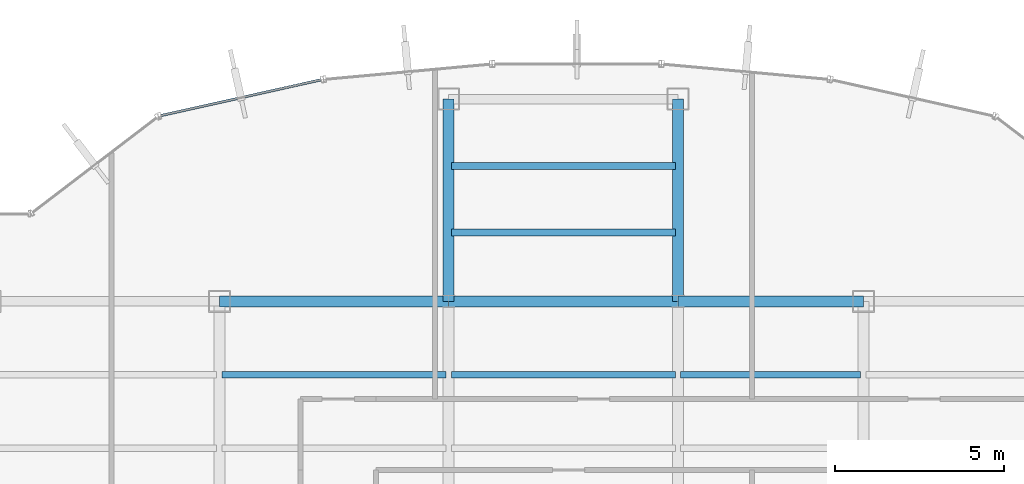
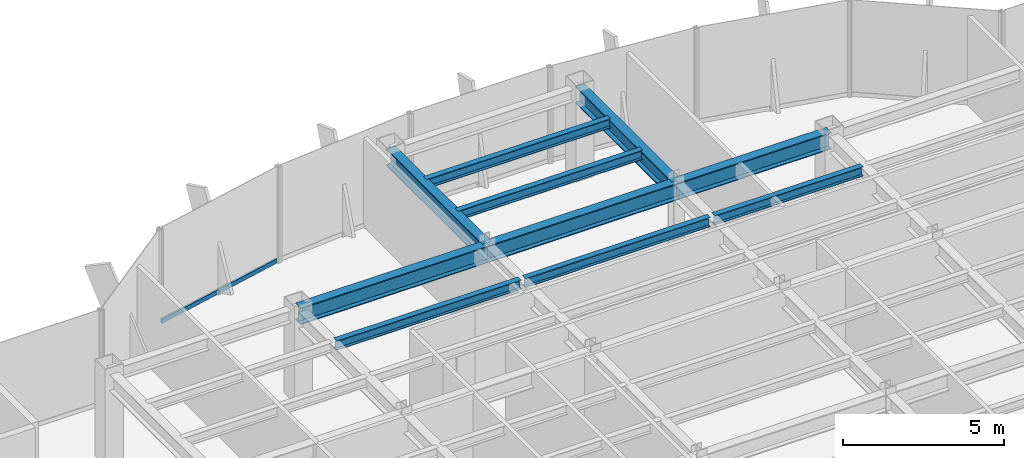
# One storey, part 15 of 25: 10 beams, 1 member, 1 element without a shape of its own.
"""IFC4 building model written with IfcOpenShell, lengths in metres."""

from ifc_helpers import new_model, si_unit, derived_unit, direction, frame, origin, origin_2d, place, context, subcontext, project, spatial, hollow_rectangle, i_section, extrude, source, transform, mapped, material, material_profile, profile_set, type_object, element, aggregate, save


model = new_model("IFC4")

# Units and contexts
model_context = context("Model", 3, precision=1e-05, world=origin(), true_north=direction((0.0, 1.0)))
body_context = subcontext(model_context, "Body", "Model", "MODEL_VIEW")
ifc_project = project(units=[si_unit("LENGTHUNIT", "METRE"), si_unit("AREAUNIT", "SQUARE_METRE"), si_unit("VOLUMEUNIT", "CUBIC_METRE"), si_unit("PLANEANGLEUNIT", "RADIAN"), si_unit("MASSUNIT", "GRAM", prefix="KILO"), derived_unit("THERMALTRANSMITTANCEUNIT", [(si_unit("POWERUNIT", "WATT"), 1), (si_unit("LENGTHUNIT", "METRE"), -2), (si_unit("THERMODYNAMICTEMPERATUREUNIT", "KELVIN"), -1)])], contexts=[model_context])

# Site, building, storey
site_placement = place(None, origin())
site = spatial("IfcSite", under=ifc_project, at=site_placement, CompositionType="ELEMENT")
building_placement = place(site_placement, origin())
building = spatial("IfcBuilding", under=site, at=building_placement, Name="Skarnbrae Concourse Arena and Tower", CompositionType="ELEMENT")
storey_placement = place(building_placement, frame((0.0, 0.0, 173.449951171875)))
storey = spatial("IfcBuildingStorey", under=building, at=storey_placement, Name="L44", CompositionType="ELEMENT", Elevation=173.449951171875)

# Beams
ifc_material_1 = material(Name="Steel CSA G40.21 350W", Category="steel")
ifc_material_profile_1 = material_profile(ifc_material_1, i_section(OverallWidth=0.3291015625, OverallDepth=0.635009765625, WebThickness=0.017822265625, FlangeThickness=0.031005859375, at=origin_2d()), Name="W610X241")
ifc_profile_set_1 = profile_set([ifc_material_profile_1], Name="Steel CSA G40.21 350W")
beam_type_1 = type_object("IfcBeamType", Name="BM-GIRD-W610X241", PredefinedType="BEAM", material=ifc_profile_set_1)
shared_shape_1 = source(origin(), body_context, "Body", "SweptSolid", [
    extrude(i_section(OverallWidth=0.3291015625, OverallDepth=0.635009765625, WebThickness=0.017822265625, FlangeThickness=0.031005859375, at=origin_2d()), origin(), (0.0, 0.0, 1.0), 6.800048828125),
])
for number, where, z_axis, x_axis, name in (
    (1, (14.39990234375, 34.39990234375, 3.08251953125), (1.0, 0.0, 0.0), (0.0, 1.0, 0.0), "L44 Primary E-W girder Y34.4-2"),
    (2, (21.199951171875, 34.39990234375, 3.08251953125), (1.0, 0.0, 0.0), (0.0, 1.0, 0.0), "L44 Primary E-W girder Y34.4-3"),
):
    element("IfcBeam", number, at=place(storey_placement, frame(where, z_axis=z_axis, x_axis=x_axis)), inside=storey, type_object=beam_type_1, Name=name, PredefinedType="BEAM", context=body_context, shape_type="MappedRepresentation", body=[
        mapped(shared_shape_1, transform((0.0, 0.0, 0.0))),
    ])
shared_shape_2 = source(origin(), body_context, "Body", "SweptSolid", [
    extrude(i_section(OverallWidth=0.3291015625, OverallDepth=0.635009765625, WebThickness=0.017822265625, FlangeThickness=0.031005859375, at=origin_2d()), origin(), (0.0, 0.0, 1.0), 5.5),
])
beam_1_placement = place(storey_placement, frame((28.0, 34.39990234375, 3.08251953125), z_axis=(1.0, 0.0, 0.0), x_axis=(0.0, 1.0, 0.0)))
element("IfcBeam", 3, at=beam_1_placement, inside=storey, type_object=beam_type_1, Name="L44 Primary E-W girder Y34.4-4", PredefinedType="BEAM", context=body_context, shape_type="MappedRepresentation", body=[
    mapped(shared_shape_2, transform((0.0, 0.0, 0.0))),
])
shared_shape_3 = source(origin(), body_context, "Body", "SweptSolid", [
    extrude(i_section(OverallWidth=0.3291015625, OverallDepth=0.635009765625, WebThickness=0.017822265625, FlangeThickness=0.031005859375, at=origin_2d()), origin(), (0.0, 0.0, 1.0), 6.0),
])
for number, where, z_axis, x_axis, name in (
    (4, (21.199951171875, 34.39990234375, 3.08251953125), (0.0, 1.0, 0.0), (-1.0, 0.0, 0.0), "L44 Primary N-S girder X21.2-4"),
    (5, (28.0, 34.39990234375, 3.08251953125), (0.0, 1.0, 0.0), (-1.0, 0.0, 0.0), "L44 Primary N-S girder X28.0-4"),
):
    element("IfcBeam", number, at=place(storey_placement, frame(where, z_axis=z_axis, x_axis=x_axis)), inside=storey, type_object=beam_type_1, Name=name, PredefinedType="BEAM", context=body_context, shape_type="MappedRepresentation", body=[
        mapped(shared_shape_3, transform((0.0, 0.0, 0.0))),
    ])
ifc_material_profile_2 = material_profile(ifc_material_1, i_section(OverallWidth=0.205078125, OverallDepth=0.35400390625, WebThickness=0.009521484375, FlangeThickness=0.016845703125, at=origin_2d()), Name="W360X79")
ifc_profile_set_2 = profile_set([ifc_material_profile_2], Name="Steel CSA G40.21 350W")
beam_type_2 = type_object("IfcBeamType", Name="BM-JOIST-W360X79", PredefinedType="JOIST", material=ifc_profile_set_2)
shared_shape_4 = source(origin(), body_context, "Body", "SweptSolid", [
    extrude(i_section(OverallWidth=0.205078125, OverallDepth=0.35400390625, WebThickness=0.009521484375, FlangeThickness=0.016845703125, at=origin_2d()), origin(), (0.0, 0.0, 1.0), 6.64013671875),
])
beam_2_placement = place(storey_placement, frame((14.47998046875, 32.221923828125, 3.22314453125), z_axis=(1.0, 0.0, 0.0), x_axis=(0.0, 1.0, 0.0)))
element("IfcBeam", 6, at=beam_2_placement, inside=storey, type_object=beam_type_2, Name="L44 Secondary floor joist 3.2.2", PredefinedType="JOIST", context=body_context, shape_type="MappedRepresentation", body=[
    mapped(shared_shape_4, transform((0.0, 0.0, 0.0))),
])
shared_shape_5 = source(origin(), body_context, "Body", "SweptSolid", [
    extrude(i_section(OverallWidth=0.205078125, OverallDepth=0.35400390625, WebThickness=0.009521484375, FlangeThickness=0.016845703125, at=origin_2d()), origin(), (0.0, 0.0, 1.0), 6.639892578125),
])
for number, where, z_axis, x_axis, name in (
    (7, (21.280029296875, 32.221923828125, 3.22314453125), (1.0, 0.0, 0.0), (0.0, 1.0, 0.0), "L44 Secondary floor joist 3.2.3"),
    (8, (21.280029296875, 36.43994140625, 3.22314453125), (1.0, 0.0, 0.0), (0.0, 1.0, 0.0), "L44 Secondary floor joist 4.1.1"),
    (9, (21.280029296875, 38.419921875, 3.22314453125), (1.0, 0.0, 0.0), (0.0, 1.0, 0.0), "L44 Secondary floor joist 4.2.1"),
):
    element("IfcBeam", number, at=place(storey_placement, frame(where, z_axis=z_axis, x_axis=x_axis)), inside=storey, type_object=beam_type_2, Name=name, PredefinedType="JOIST", context=body_context, shape_type="MappedRepresentation", body=[
        mapped(shared_shape_5, transform((0.0, 0.0, 0.0))),
    ])
shared_shape_6 = source(origin(), body_context, "Body", "SweptSolid", [
    extrude(i_section(OverallWidth=0.205078125, OverallDepth=0.35400390625, WebThickness=0.009521484375, FlangeThickness=0.016845703125, at=origin_2d()), origin(), (0.0, 0.0, 1.0), 5.33984375),
])
beam_3_placement = place(storey_placement, frame((28.080078125, 32.221923828125, 3.22314453125), z_axis=(1.0, 0.0, 0.0), x_axis=(0.0, 1.0, 0.0)))
element("IfcBeam", 10, at=beam_3_placement, inside=storey, type_object=beam_type_2, Name="L44 Secondary floor joist 3.2.4", PredefinedType="JOIST", context=body_context, shape_type="MappedRepresentation", body=[
    mapped(shared_shape_6, transform((0.0, 0.0, 0.0))),
])

# Curtain wall, member
ifc_material_2 = material(Name="Bronze anodised aluminium 6063-T6", Category="aluminium")
curtain_wall_type = type_object("IfcCurtainWallType", Name="CW-SYS-04-MIDZONE", PredefinedType="USERDEFINED", material=ifc_material_2)
curtain_wall_placement = place(storey_placement, origin())
curtain_wall = element("IfcCurtainWall", 11, at=curtain_wall_placement, inside=storey, type_object=curtain_wall_type, Name="L44 Unitised curtain wall CW-L44-E13", ObjectType="UNITISED CURTAIN WALL", PredefinedType="USERDEFINED")
ifc_material_profile_3 = material_profile(ifc_material_2, hollow_rectangle(XDim=0.074951171875, YDim=0.159912109375, WallThickness=0.00439453125, at=origin_2d()), Name="ALU-TRAN-75X160")
ifc_profile_set_3 = profile_set([ifc_material_profile_3], Name="Bronze anodised aluminium 6063-T6")
member_type = type_object("IfcMemberType", Name="CWT-CW-04", PredefinedType="USERDEFINED", material=ifc_profile_set_3)
shared_shape_7 = source(origin(), body_context, "Body", "SweptSolid", [
    extrude(hollow_rectangle(XDim=0.074951171875, YDim=0.159912109375, WallThickness=0.00439453125, at=origin_2d()), origin(), (0.0, 0.0, 1.0), 4.867919921875),
])
member_placement = place(storey_placement, frame((17.41455078125, 40.970458984375, 0.080078125), z_axis=(-0.975944534406, -0.218018957349, 0.0), x_axis=(0.218018957349, -0.975944534406, 0.0)))
member = element("IfcMember", 12, at=member_placement, type_object=member_type, Name="CW-L44-E13 Transom 1", ObjectType="TRANSOM", PredefinedType="USERDEFINED", context=body_context, shape_type="MappedRepresentation", body=[
    mapped(shared_shape_7, transform((0.0, 0.0, 0.0))),
])
aggregate(curtain_wall, [member])

save(model, "model.ifc")
